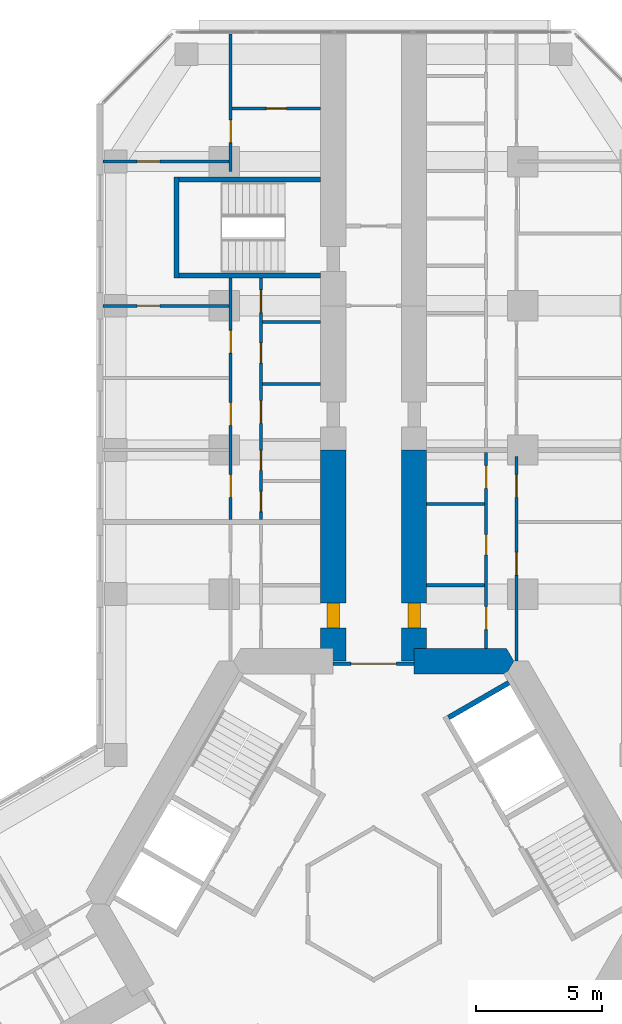
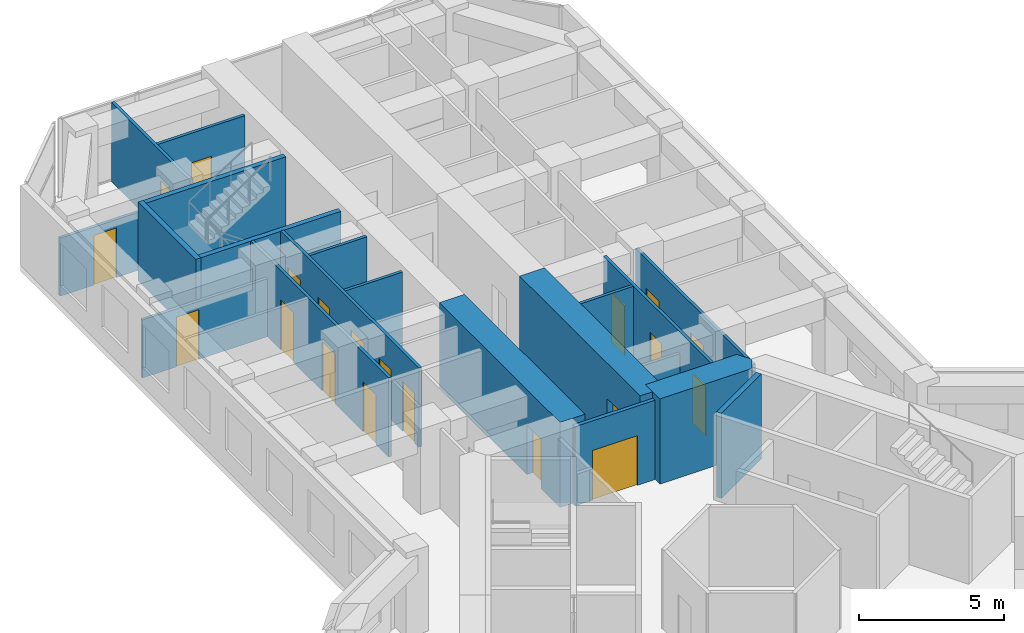
# One storey, part 18 of 22: 20 doors, 20 walls, 20 openings.
"""IFC4 building model written with IfcOpenShell, lengths in metres."""

from ifc_helpers import new_model, si_unit, direction, frame, frame_2d, origin, place, context, subcontext, project, spatial, polyline, rectangle, outline, extrude, material, layer, layer_set, type_object, element, fill, save


model = new_model("IFC4")

# Units and contexts
model_context = context("Model", 3, precision=1e-05, world=origin(), true_north=direction((0.0, 1.0)))
body_context = subcontext(model_context, "Body", "Model", "MODEL_VIEW")
ifc_project = project(units=[si_unit("LENGTHUNIT", "METRE"), si_unit("AREAUNIT", "SQUARE_METRE"), si_unit("VOLUMEUNIT", "CUBIC_METRE"), si_unit("PLANEANGLEUNIT", "RADIAN"), si_unit("MASSUNIT", "GRAM", prefix="KILO")], contexts=[model_context])

# Site, building, storey
site_placement = place(None, origin())
site = spatial("IfcSite", under=ifc_project, at=site_placement, CompositionType="ELEMENT")
building_placement = place(site_placement, origin())
building = spatial("IfcBuilding", under=site, at=building_placement, Name="Kosmar Iwan School Tower", CompositionType="ELEMENT")
storey_placement = place(building_placement, frame((0.0, 0.0, 95.199951171875)))
storey = spatial("IfcBuildingStorey", under=building, at=storey_placement, Name="L23", CompositionType="ELEMENT", Elevation=95.199951171875)

# Wall
ifc_material_1 = material(Name="Concrete C50/60", Category="concrete")
ifc_layer_1 = layer(ifc_material_1, 1.0)
ifc_layer_set_1 = layer_set([ifc_layer_1], Name="Core wall 1000")
wall_type_1 = type_object("IfcWallType", Name="Core wall 1000", PredefinedType="SHEAR", material=ifc_layer_set_1)
wall_1_placement = place(storey_placement, origin())
element("IfcWall", 1, at=wall_1_placement, inside=storey, type_object=wall_type_1, Name="Core wall F090a", PredefinedType="SHEAR", context=body_context, shape_type="SweptSolid", body=[
    extrude(outline(polyline([(1.60009765625, 9.10009765625), (5.25390625, 9.10009765625), (5.54248046875, 9.60009765625), (5.25390625, 10.10009765625), (1.60009765625, 10.10009765625), (1.60009765625, 9.10009765625)])), origin(), (0.0, 0.0, 1.0), 3.60009765625),
])

# Wall, opening, door
ifc_material_2 = material(Name="Concrete C50/60", Category="concrete")
ifc_layer_2 = layer(ifc_material_2, 1.0)
ifc_layer_set_2 = layer_set([ifc_layer_2], Name="Corridor buttress wall 1000")
wall_type_2 = type_object("IfcWallType", Name="Corridor buttress wall 1000", PredefinedType="SHEAR", material=ifc_layer_set_2)
wall_2_placement = place(storey_placement, frame((-1.60009765625, 9.60009765625, 0.0), z_axis=(0.0, 0.0, 1.0), x_axis=(0.0, 1.0, 0.0)))
wall_2 = element("IfcWall", 2, at=wall_2_placement, inside=storey, type_object=wall_type_2, Name="Corridor wall AL", PredefinedType="SHEAR", context=body_context, shape_type="SweptSolid", body=[
    extrude(rectangle(XDim=8.349853515625, YDim=1.0, at=frame_2d((4.1748046875, 0.0))), origin(), (0.0, 0.0, 1.0), 3.60009765625),
])
opening_1_placement = place(wall_2_placement, frame((1.300048828125, 0.0, 0.0)))
opening_1 = element("IfcOpeningElement", 3, at=opening_1_placement, cuts=wall_2, Name="Opening D1", PredefinedType="OPENING", context=body_context, shape_type="SweptSolid", body=[
    extrude(rectangle(XDim=1.0, YDim=2.10009765625, at=frame_2d((0.5, 1.050048828125))), frame((0.0, 0.511962890625, 0.0), z_axis=(0.0, -1.0, 0.0), x_axis=(1.0, 0.0, 0.0)), (0.0, 0.0, 1.0), 1.02392578125),
])
ifc_material_3 = material(Name="Timber fire door in steel frame", Category="steel")
door_type_1 = type_object("IfcDoorType", Name="Flat entrance door 1000x2100", OperationType="SINGLE_SWING_LEFT", PredefinedType="DOOR", material=ifc_material_3)
door_1_placement = place(opening_1_placement, origin())
door_1 = element("IfcDoor", 4, at=door_1_placement, inside=storey, type_object=door_type_1, Name="Flat L23-AL1 entrance door", OperationType="SINGLE_SWING_RIGHT", OverallHeight=2.10009765625, OverallWidth=1.0, PredefinedType="DOOR", context=body_context, shape_type="SweptSolid", body=[
    extrude(rectangle(XDim=1.0, YDim=2.10009765625, at=frame_2d((0.5, 1.050048828125))), frame((0.0, 0.25, 0.0), z_axis=(0.0, -1.0, 0.0), x_axis=(1.0, 0.0, 0.0)), (0.0, 0.0, 1.0), 0.5),
])
fill(opening_1, door_1)

wall_3_placement = place(storey_placement, frame((1.60009765625, 9.60009765625, 0.0), z_axis=(0.0, 0.0, 1.0), x_axis=(0.0, 1.0, 0.0)))
wall_3 = element("IfcWall", 5, at=wall_3_placement, inside=storey, type_object=wall_type_2, Name="Corridor wall AR", PredefinedType="SHEAR", context=body_context, shape_type="SweptSolid", body=[
    extrude(rectangle(XDim=8.349853515625, YDim=1.0, at=frame_2d((4.1748046875, 0.0))), origin(), (0.0, 0.0, 1.0), 3.60009765625),
])
opening_2_placement = place(wall_3_placement, frame((1.300048828125, 0.0, 0.0)))
opening_2 = element("IfcOpeningElement", 6, at=opening_2_placement, cuts=wall_3, Name="Opening D1", PredefinedType="OPENING", context=body_context, shape_type="SweptSolid", body=[
    extrude(rectangle(XDim=1.0, YDim=2.10009765625, at=frame_2d((0.5, 1.050048828125))), frame((0.0, 0.511962890625, 0.0), z_axis=(0.0, -1.0, 0.0), x_axis=(1.0, 0.0, 0.0)), (0.0, 0.0, 1.0), 1.02392578125),
])
door_2_placement = place(opening_2_placement, origin())
door_2 = element("IfcDoor", 7, at=door_2_placement, inside=storey, type_object=door_type_1, Name="Flat L23-AR1 entrance door", OperationType="SINGLE_SWING_LEFT", OverallHeight=2.10009765625, OverallWidth=1.0, PredefinedType="DOOR", context=body_context, shape_type="SweptSolid", body=[
    extrude(rectangle(XDim=1.0, YDim=2.10009765625, at=frame_2d((0.5, 1.050048828125))), frame((0.0, 0.25, 0.0), z_axis=(0.0, -1.0, 0.0), x_axis=(1.0, 0.0, 0.0)), (0.0, 0.0, 1.0), 0.5),
])
fill(opening_2, door_2)

ifc_material_4 = material(Name="Steel framed glazed screen", Category="steel")
ifc_layer_3 = layer(ifc_material_4, 0.14990234375)
ifc_layer_set_3 = layer_set([ifc_layer_3], Name="Corridor screen wall 150")
wall_type_3 = type_object("IfcWallType", Name="Corridor screen wall 150", PredefinedType="PARTITIONING", material=ifc_layer_set_3)
wall_4_placement = place(storey_placement, frame((1.60009765625, 9.5, 0.0), z_axis=(0.0, 0.0, 1.0), x_axis=(-1.0, 0.0, 0.0)))
wall_4 = element("IfcWall", 8, at=wall_4_placement, inside=storey, type_object=wall_type_3, Name="Corridor screen A L23", PredefinedType="PARTITIONING", context=body_context, shape_type="SweptSolid", body=[
    extrude(rectangle(XDim=3.2001953125, YDim=0.14990234375, at=frame_2d((1.60009765625, 0.0))), origin(), (0.0, 0.0, 1.0), 3.35009765625),
])
opening_3_placement = place(wall_4_placement, frame((0.699951171875, 0.0, 0.0)))
opening_3 = element("IfcOpeningElement", 9, at=opening_3_placement, cuts=wall_4, Name="Opening D9", PredefinedType="OPENING", context=body_context, shape_type="SweptSolid", body=[
    extrude(rectangle(XDim=1.800048828125, YDim=2.10009765625, at=frame_2d((0.89990234375, 1.050048828125))), frame((0.0, 0.0869140625, 0.0), z_axis=(0.0, -1.0, 0.0), x_axis=(1.0, 0.0, 0.0)), (0.0, 0.0, 1.0), 0.173828125),
])
ifc_material_5 = material(Name="Steel framed glazed smoke door", Category="steel")
door_type_2 = type_object("IfcDoorType", Name="Corridor smoke door pair 1800x2100", OperationType="DOUBLE_DOOR_DOUBLE_SWING", PredefinedType="DOOR", material=ifc_material_5)
door_3_placement = place(opening_3_placement, origin())
door_3 = element("IfcDoor", 10, at=door_3_placement, inside=storey, type_object=door_type_2, Name="Corridor doors A L23", OperationType="DOUBLE_DOOR_DOUBLE_SWING", OverallHeight=2.10009765625, OverallWidth=1.800048828125, PredefinedType="DOOR", context=body_context, shape_type="SweptSolid", body=[
    extrude(rectangle(XDim=1.800048828125, YDim=2.10009765625, at=frame_2d((0.89990234375, 1.050048828125))), frame((0.0, 0.02490234375, 0.0), z_axis=(0.0, -1.0, 0.0), x_axis=(1.0, 0.0, 0.0)), (0.0, 0.0, 1.0), 0.050048828125),
])
fill(opening_3, door_3)

# Wall, openings, doors
ifc_material_6 = material(Name="Gypsum board on steel studs", Category="steel")
ifc_layer_4 = layer(ifc_material_6, 0.1201171875)
ifc_layer_set_4 = layer_set([ifc_layer_4], Name="Dwelling partition 120")
wall_type_4 = type_object("IfcWallType", Name="Dwelling partition 120", PredefinedType="PARTITIONING", material=ifc_layer_set_4)
wall_5_placement = place(storey_placement, frame((-4.449951171875, 15.199951171875, 0.0), z_axis=(0.0, 0.0, 1.0), x_axis=(0.0, 1.0, 0.0)))
wall_5 = element("IfcWall", 11, at=wall_5_placement, inside=storey, type_object=wall_type_4, Name="Partition L23-AL2-W1", PredefinedType="PARTITIONING", context=body_context, shape_type="SweptSolid", body=[
    extrude(rectangle(XDim=9.550048828125, YDim=0.1201171875, at=frame_2d((4.77490234375, 0.0))), origin(), (0.0, 0.0, 1.0), 3.35009765625),
])
opening_4_placement = place(wall_5_placement, frame((0.3125, 0.0, 0.0)))
opening_4 = element("IfcOpeningElement", 12, at=opening_4_placement, cuts=wall_5, Name="Opening D3", PredefinedType="OPENING", context=body_context, shape_type="SweptSolid", body=[
    extrude(rectangle(XDim=0.800048828125, YDim=2.10009765625, at=frame_2d((0.39990234375, 1.050048828125))), frame((0.0, 0.072021484375, 0.0), z_axis=(0.0, -1.0, 0.0), x_axis=(1.0, 0.0, 0.0)), (0.0, 0.0, 1.0), 0.14404296875),
])
opening_5_placement = place(wall_5_placement, frame((1.9375, 0.0, 0.0)))
opening_5 = element("IfcOpeningElement", 13, at=opening_5_placement, cuts=wall_5, Name="Opening D3", PredefinedType="OPENING", context=body_context, shape_type="SweptSolid", body=[
    extrude(rectangle(XDim=0.800048828125, YDim=2.10009765625, at=frame_2d((0.39990234375, 1.050048828125))), frame((0.0, 0.072021484375, 0.0), z_axis=(0.0, -1.0, 0.0), x_axis=(1.0, 0.0, 0.0)), (0.0, 0.0, 1.0), 0.14404296875),
])
opening_6_placement = place(wall_5_placement, frame((3.800048828125, 0.0, 0.0)))
opening_6 = element("IfcOpeningElement", 14, at=opening_6_placement, cuts=wall_5, Name="Opening D2", PredefinedType="OPENING", context=body_context, shape_type="SweptSolid", body=[
    extrude(rectangle(XDim=0.89990234375, YDim=2.10009765625, at=frame_2d((0.449951171875, 1.050048828125))), frame((0.0, 0.072021484375, 0.0), z_axis=(0.0, -1.0, 0.0), x_axis=(1.0, 0.0, 0.0)), (0.0, 0.0, 1.0), 0.14404296875),
])
opening_7_placement = place(wall_5_placement, frame((6.179931640625, 0.0, 0.0)))
opening_7 = element("IfcOpeningElement", 15, at=opening_7_placement, cuts=wall_5, Name="Opening D3", PredefinedType="OPENING", context=body_context, shape_type="SweptSolid", body=[
    extrude(rectangle(XDim=0.800048828125, YDim=2.10009765625, at=frame_2d((0.39990234375, 1.050048828125))), frame((0.0, 0.072021484375, 0.0), z_axis=(0.0, -1.0, 0.0), x_axis=(1.0, 0.0, 0.0)), (0.0, 0.0, 1.0), 0.14404296875),
])
opening_8_placement = place(wall_5_placement, frame((8.179931640625, 0.0, 0.0)))
opening_8 = element("IfcOpeningElement", 16, at=opening_8_placement, cuts=wall_5, Name="Opening D2", PredefinedType="OPENING", context=body_context, shape_type="SweptSolid", body=[
    extrude(rectangle(XDim=0.89990234375, YDim=2.10009765625, at=frame_2d((0.449951171875, 1.050048828125))), frame((0.0, 0.072021484375, 0.0), z_axis=(0.0, -1.0, 0.0), x_axis=(1.0, 0.0, 0.0)), (0.0, 0.0, 1.0), 0.14404296875),
])
ifc_material_7 = material(Name="Timber door in timber frame", Category="wood")
door_type_3 = type_object("IfcDoorType", Name="Internal door 900x2100", OperationType="SINGLE_SWING_LEFT", PredefinedType="DOOR", material=ifc_material_7)
door_4_placement = place(opening_6_placement, origin())
door_4 = element("IfcDoor", 17, at=door_4_placement, inside=storey, type_object=door_type_3, Name="Entrance hall door L23-AL2-S3", OperationType="SINGLE_SWING_LEFT", OverallHeight=2.10009765625, OverallWidth=0.89990234375, PredefinedType="DOOR", context=body_context, shape_type="SweptSolid", body=[
    extrude(rectangle(XDim=0.89990234375, YDim=2.10009765625, at=frame_2d((0.449951171875, 1.050048828125))), frame((0.0, 0.02490234375, 0.0), z_axis=(0.0, -1.0, 0.0), x_axis=(1.0, 0.0, 0.0)), (0.0, 0.0, 1.0), 0.050048828125),
])
fill(opening_6, door_4)
door_5_placement = place(opening_8_placement, frame((0.89990234375, 0.0, 0.0), z_axis=(0.0, 0.0, 1.0), x_axis=(-1.0, 0.0, 0.0)))
door_5 = element("IfcDoor", 18, at=door_5_placement, inside=storey, type_object=door_type_3, Name="Pantry door L23-AL2-S5", OperationType="SINGLE_SWING_LEFT", OverallHeight=2.10009765625, OverallWidth=0.89990234375, PredefinedType="DOOR", context=body_context, shape_type="SweptSolid", body=[
    extrude(rectangle(XDim=0.89990234375, YDim=2.10009765625, at=frame_2d((0.449951171875, 1.050048828125))), frame((0.0, 0.02490234375, 0.0), z_axis=(0.0, -1.0, 0.0), x_axis=(1.0, 0.0, 0.0)), (0.0, 0.0, 1.0), 0.050048828125),
])
fill(opening_8, door_5)
ifc_material_8 = material(Name="Timber door in timber frame", Category="wood")
door_type_4 = type_object("IfcDoorType", Name="Sanitary room door 800x2100", OperationType="SINGLE_SWING_LEFT", PredefinedType="DOOR", material=ifc_material_8)
door_6_placement = place(opening_4_placement, origin())
door_6 = element("IfcDoor", 19, at=door_6_placement, inside=storey, type_object=door_type_4, Name="WC door L23-AL2-S1", OperationType="SINGLE_SWING_LEFT", OverallHeight=2.10009765625, OverallWidth=0.800048828125, PredefinedType="DOOR", context=body_context, shape_type="SweptSolid", body=[
    extrude(rectangle(XDim=0.800048828125, YDim=2.10009765625, at=frame_2d((0.39990234375, 1.050048828125))), frame((0.0, 0.02490234375, 0.0), z_axis=(0.0, -1.0, 0.0), x_axis=(1.0, 0.0, 0.0)), (0.0, 0.0, 1.0), 0.050048828125),
])
fill(opening_4, door_6)
door_7_placement = place(opening_5_placement, origin())
door_7 = element("IfcDoor", 20, at=door_7_placement, inside=storey, type_object=door_type_4, Name="Shower room door L23-AL2-S2", OperationType="SINGLE_SWING_LEFT", OverallHeight=2.10009765625, OverallWidth=0.800048828125, PredefinedType="DOOR", context=body_context, shape_type="SweptSolid", body=[
    extrude(rectangle(XDim=0.800048828125, YDim=2.10009765625, at=frame_2d((0.39990234375, 1.050048828125))), frame((0.0, 0.02490234375, 0.0), z_axis=(0.0, -1.0, 0.0), x_axis=(1.0, 0.0, 0.0)), (0.0, 0.0, 1.0), 0.050048828125),
])
fill(opening_5, door_7)
door_8_placement = place(opening_7_placement, origin())
door_8 = element("IfcDoor", 21, at=door_8_placement, inside=storey, type_object=door_type_4, Name="Bathroom door L23-AL2-S4", OperationType="SINGLE_SWING_RIGHT", OverallHeight=2.10009765625, OverallWidth=0.800048828125, PredefinedType="DOOR", context=body_context, shape_type="SweptSolid", body=[
    extrude(rectangle(XDim=0.800048828125, YDim=2.10009765625, at=frame_2d((0.39990234375, 1.050048828125))), frame((0.0, 0.02490234375, 0.0), z_axis=(0.0, -1.0, 0.0), x_axis=(1.0, 0.0, 0.0)), (0.0, 0.0, 1.0), 0.050048828125),
])
fill(opening_7, door_8)

wall_6_placement = place(storey_placement, frame((-5.64990234375, 15.199951171875, 0.0), z_axis=(0.0, 0.0, 1.0), x_axis=(0.0, 1.0, 0.0)))
wall_6 = element("IfcWall", 22, at=wall_6_placement, inside=storey, type_object=wall_type_4, Name="Partition L23-AL2-W2", PredefinedType="PARTITIONING", context=body_context, shape_type="SweptSolid", body=[
    extrude(rectangle(XDim=9.550048828125, YDim=0.1201171875, at=frame_2d((4.77490234375, 0.0))), origin(), (0.0, 0.0, 1.0), 3.35009765625),
])
opening_9_placement = place(wall_6_placement, frame((0.875, 0.0, 0.0)))
opening_9 = element("IfcOpeningElement", 23, at=opening_9_placement, cuts=wall_6, Name="Opening D2", PredefinedType="OPENING", context=body_context, shape_type="SweptSolid", body=[
    extrude(rectangle(XDim=0.89990234375, YDim=2.10009765625, at=frame_2d((0.449951171875, 1.050048828125))), frame((0.0, 0.072021484375, 0.0), z_axis=(0.0, -1.0, 0.0), x_axis=(1.0, 0.0, 0.0)), (0.0, 0.0, 1.0), 0.14404296875),
])
opening_10_placement = place(wall_6_placement, frame((3.72509765625, 0.0, 0.0)))
opening_10 = element("IfcOpeningElement", 24, at=opening_10_placement, cuts=wall_6, Name="Opening D2", PredefinedType="OPENING", context=body_context, shape_type="SweptSolid", body=[
    extrude(rectangle(XDim=0.89990234375, YDim=2.10009765625, at=frame_2d((0.449951171875, 1.050048828125))), frame((0.0, 0.072021484375, 0.0), z_axis=(0.0, -1.0, 0.0), x_axis=(1.0, 0.0, 0.0)), (0.0, 0.0, 1.0), 0.14404296875),
])
opening_11_placement = place(wall_6_placement, frame((6.574951171875, 0.0, 0.0)))
opening_11 = element("IfcOpeningElement", 25, at=opening_11_placement, cuts=wall_6, Name="Opening D2", PredefinedType="OPENING", context=body_context, shape_type="SweptSolid", body=[
    extrude(rectangle(XDim=0.89990234375, YDim=2.10009765625, at=frame_2d((0.449951171875, 1.050048828125))), frame((0.0, 0.072021484375, 0.0), z_axis=(0.0, -1.0, 0.0), x_axis=(1.0, 0.0, 0.0)), (0.0, 0.0, 1.0), 0.14404296875),
])
door_9_placement = place(opening_9_placement, origin())
door_9 = element("IfcDoor", 26, at=door_9_placement, inside=storey, type_object=door_type_3, Name="Bedroom 1 door L23-AL2-F1", OperationType="SINGLE_SWING_LEFT", OverallHeight=2.10009765625, OverallWidth=0.89990234375, PredefinedType="DOOR", context=body_context, shape_type="SweptSolid", body=[
    extrude(rectangle(XDim=0.89990234375, YDim=2.10009765625, at=frame_2d((0.449951171875, 1.050048828125))), frame((0.0, 0.02490234375, 0.0), z_axis=(0.0, -1.0, 0.0), x_axis=(1.0, 0.0, 0.0)), (0.0, 0.0, 1.0), 0.050048828125),
])
fill(opening_9, door_9)
door_10_placement = place(opening_10_placement, origin())
door_10 = element("IfcDoor", 27, at=door_10_placement, inside=storey, type_object=door_type_3, Name="Living room and kitchen door L23-AL2-F2", OperationType="SINGLE_SWING_RIGHT", OverallHeight=2.10009765625, OverallWidth=0.89990234375, PredefinedType="DOOR", context=body_context, shape_type="SweptSolid", body=[
    extrude(rectangle(XDim=0.89990234375, YDim=2.10009765625, at=frame_2d((0.449951171875, 1.050048828125))), frame((0.0, 0.02490234375, 0.0), z_axis=(0.0, -1.0, 0.0), x_axis=(1.0, 0.0, 0.0)), (0.0, 0.0, 1.0), 0.050048828125),
])
fill(opening_10, door_10)
door_11_placement = place(opening_11_placement, origin())
door_11 = element("IfcDoor", 28, at=door_11_placement, inside=storey, type_object=door_type_3, Name="Bedroom 2 door L23-AL2-F3", OperationType="SINGLE_SWING_LEFT", OverallHeight=2.10009765625, OverallWidth=0.89990234375, PredefinedType="DOOR", context=body_context, shape_type="SweptSolid", body=[
    extrude(rectangle(XDim=0.89990234375, YDim=2.10009765625, at=frame_2d((0.449951171875, 1.050048828125))), frame((0.0, 0.02490234375, 0.0), z_axis=(0.0, -1.0, 0.0), x_axis=(1.0, 0.0, 0.0)), (0.0, 0.0, 1.0), 0.050048828125),
])
fill(opening_11, door_11)

# Walls
for number, where, z_axis, x_axis, name in (
    (29, (-2.10009765625, 20.550048828125, 0.0), (0.0, 0.0, 1.0), (-1.0, 0.0, 0.0), "Partition L23-AL2-Y3"),
    (30, (-2.10009765625, 23.010009765625, 0.0), (0.0, 0.0, 1.0), (-1.0, 0.0, 0.0), "Partition L23-AL2-Y4"),
):
    element("IfcWall", number, at=place(storey_placement, frame(where, z_axis=z_axis, x_axis=x_axis)), inside=storey, type_object=wall_type_4, Name=name, PredefinedType="PARTITIONING", context=body_context, shape_type="SweptSolid", body=[
        extrude(rectangle(XDim=2.289794921875, YDim=0.1201171875, at=frame_2d((1.14501953125, 0.0))), origin(), (0.0, 0.0, 1.0), 3.35009765625),
    ])

# Wall, opening, door
wall_7_placement = place(storey_placement, frame((-5.7099609375, 23.64990234375, 0.0), z_axis=(0.0, 0.0, 1.0), x_axis=(-1.0, 0.0, 0.0)))
wall_7 = element("IfcWall", 31, at=wall_7_placement, inside=storey, type_object=wall_type_4, Name="Partition L23-AL2-TB", PredefinedType="PARTITIONING", context=body_context, shape_type="SweptSolid", body=[
    extrude(rectangle(XDim=4.989990234375, YDim=0.1201171875, at=frame_2d((2.4951171875, 0.0))), origin(), (0.0, 0.0, 1.0), 2.449951171875),
])
opening_12_placement = place(wall_7_placement, frame((2.739990234375, 0.0, 0.0)))
opening_12 = element("IfcOpeningElement", 32, at=opening_12_placement, cuts=wall_7, Name="Opening D2", PredefinedType="OPENING", context=body_context, shape_type="SweptSolid", body=[
    extrude(rectangle(XDim=0.89990234375, YDim=2.10009765625, at=frame_2d((0.449951171875, 1.050048828125))), frame((0.0, 0.072021484375, 0.0), z_axis=(0.0, -1.0, 0.0), x_axis=(1.0, 0.0, 0.0)), (0.0, 0.0, 1.0), 0.14404296875),
])
door_12_placement = place(opening_12_placement, origin())
door_12 = element("IfcDoor", 33, at=door_12_placement, inside=storey, type_object=door_type_3, Name="Study door L23-AL2-F3", OperationType="SINGLE_SWING_RIGHT", OverallHeight=2.10009765625, OverallWidth=0.89990234375, PredefinedType="DOOR", context=body_context, shape_type="SweptSolid", body=[
    extrude(rectangle(XDim=0.89990234375, YDim=2.10009765625, at=frame_2d((0.449951171875, 1.050048828125))), frame((0.0, 0.02490234375, 0.0), z_axis=(0.0, -1.0, 0.0), x_axis=(1.0, 0.0, 0.0)), (0.0, 0.0, 1.0), 0.050048828125),
])
fill(opening_12, door_12)

wall_8_placement = place(storey_placement, frame((-5.7099609375, 29.35009765625, 0.0), z_axis=(0.0, 0.0, 1.0), x_axis=(-1.0, 0.0, 0.0)))
wall_8 = element("IfcWall", 34, at=wall_8_placement, inside=storey, type_object=wall_type_4, Name="Partition L23-AL2-TX", PredefinedType="PARTITIONING", context=body_context, shape_type="SweptSolid", body=[
    extrude(rectangle(XDim=4.989990234375, YDim=0.1201171875, at=frame_2d((2.4951171875, 0.0))), origin(), (0.0, 0.0, 1.0), 2.449951171875),
])
opening_13_placement = place(wall_8_placement, frame((2.739990234375, 0.0, 0.0)))
opening_13 = element("IfcOpeningElement", 35, at=opening_13_placement, cuts=wall_8, Name="Opening D2", PredefinedType="OPENING", context=body_context, shape_type="SweptSolid", body=[
    extrude(rectangle(XDim=0.89990234375, YDim=2.10009765625, at=frame_2d((0.449951171875, 1.050048828125))), frame((0.0, 0.072021484375, 0.0), z_axis=(0.0, -1.0, 0.0), x_axis=(1.0, 0.0, 0.0)), (0.0, 0.0, 1.0), 0.14404296875),
])
door_13_placement = place(opening_13_placement, origin())
door_13 = element("IfcDoor", 36, at=door_13_placement, inside=storey, type_object=door_type_3, Name="Study door L23-AL2-T1", OperationType="SINGLE_SWING_RIGHT", OverallHeight=2.10009765625, OverallWidth=0.89990234375, PredefinedType="DOOR", context=body_context, shape_type="SweptSolid", body=[
    extrude(rectangle(XDim=0.89990234375, YDim=2.10009765625, at=frame_2d((0.449951171875, 1.050048828125))), frame((0.0, 0.02490234375, 0.0), z_axis=(0.0, -1.0, 0.0), x_axis=(1.0, 0.0, 0.0)), (0.0, 0.0, 1.0), 0.050048828125),
])
fill(opening_13, door_13)

wall_9_placement = place(storey_placement, frame((-5.64990234375, 28.949951171875, 0.0), z_axis=(0.0, 0.0, 1.0), x_axis=(0.0, 1.0, 0.0)))
wall_9 = element("IfcWall", 37, at=wall_9_placement, inside=storey, type_object=wall_type_4, Name="Partition L23-AL2-TW", PredefinedType="PARTITIONING", context=body_context, shape_type="SweptSolid", body=[
    extrude(rectangle(XDim=5.445068359375, YDim=0.1201171875, at=frame_2d((2.72265625, 0.0))), origin(), (0.0, 0.0, 1.0), 3.35009765625),
])
opening_14_placement = place(wall_9_placement, frame((1.14990234375, 0.0, 0.0)))
opening_14 = element("IfcOpeningElement", 38, at=opening_14_placement, cuts=wall_9, Name="Opening D2", PredefinedType="OPENING", context=body_context, shape_type="SweptSolid", body=[
    extrude(rectangle(XDim=0.89990234375, YDim=2.10009765625, at=frame_2d((0.449951171875, 1.050048828125))), frame((0.0, 0.072021484375, 0.0), z_axis=(0.0, -1.0, 0.0), x_axis=(1.0, 0.0, 0.0)), (0.0, 0.0, 1.0), 0.14404296875),
])
door_14_placement = place(opening_14_placement, origin())
door_14 = element("IfcDoor", 39, at=door_14_placement, inside=storey, type_object=door_type_3, Name="Dressing room door L23-AL2-T3", OperationType="SINGLE_SWING_LEFT", OverallHeight=2.10009765625, OverallWidth=0.89990234375, PredefinedType="DOOR", context=body_context, shape_type="SweptSolid", body=[
    extrude(rectangle(XDim=0.89990234375, YDim=2.10009765625, at=frame_2d((0.449951171875, 1.050048828125))), frame((0.0, 0.02490234375, 0.0), z_axis=(0.0, -1.0, 0.0), x_axis=(1.0, 0.0, 0.0)), (0.0, 0.0, 1.0), 0.050048828125),
])
fill(opening_14, door_14)

wall_10_placement = place(storey_placement, frame((-2.10009765625, 31.449951171875, 0.0), z_axis=(0.0, 0.0, 1.0), x_axis=(-1.0, 0.0, 0.0)))
wall_10 = element("IfcWall", 40, at=wall_10_placement, inside=storey, type_object=wall_type_4, Name="Partition L23-AL2-TY", PredefinedType="PARTITIONING", context=body_context, shape_type="SweptSolid", body=[
    extrude(rectangle(XDim=3.489990234375, YDim=0.1201171875, at=frame_2d((1.7451171875, 0.0))), origin(), (0.0, 0.0, 1.0), 3.35009765625),
])
opening_15_placement = place(wall_10_placement, frame((1.344970703125, 0.0, 0.0)))
opening_15 = element("IfcOpeningElement", 41, at=opening_15_placement, cuts=wall_10, Name="Opening D3", PredefinedType="OPENING", context=body_context, shape_type="SweptSolid", body=[
    extrude(rectangle(XDim=0.800048828125, YDim=2.10009765625, at=frame_2d((0.39990234375, 1.050048828125))), frame((0.0, 0.072021484375, 0.0), z_axis=(0.0, -1.0, 0.0), x_axis=(1.0, 0.0, 0.0)), (0.0, 0.0, 1.0), 0.14404296875),
])
door_15_placement = place(opening_15_placement, origin())
door_15 = element("IfcDoor", 42, at=door_15_placement, inside=storey, type_object=door_type_4, Name="Shower room door L23-AL2-T4", OperationType="SINGLE_SWING_RIGHT", OverallHeight=2.10009765625, OverallWidth=0.800048828125, PredefinedType="DOOR", context=body_context, shape_type="SweptSolid", body=[
    extrude(rectangle(XDim=0.800048828125, YDim=2.10009765625, at=frame_2d((0.39990234375, 1.050048828125))), frame((0.0, 0.02490234375, 0.0), z_axis=(0.0, -1.0, 0.0), x_axis=(1.0, 0.0, 0.0)), (0.0, 0.0, 1.0), 0.050048828125),
])
fill(opening_15, door_15)

# Wall, openings, doors
wall_11_placement = place(storey_placement, frame((4.449951171875, 10.10009765625, 0.0), z_axis=(0.0, 0.0, 1.0), x_axis=(0.0, 1.0, 0.0)))
wall_11 = element("IfcWall", 43, at=wall_11_placement, inside=storey, type_object=wall_type_4, Name="Partition L23-AR1-W1", PredefinedType="PARTITIONING", context=body_context, shape_type="SweptSolid", body=[
    extrude(rectangle(XDim=7.75, YDim=0.1201171875, at=frame_2d((3.875, 0.0))), origin(), (0.0, 0.0, 1.0), 3.35009765625),
])
opening_16_placement = place(wall_11_placement, frame((0.75, 0.0, 0.0)))
opening_16 = element("IfcOpeningElement", 44, at=opening_16_placement, cuts=wall_11, Name="Opening D2", PredefinedType="OPENING", context=body_context, shape_type="SweptSolid", body=[
    extrude(rectangle(XDim=0.89990234375, YDim=2.10009765625, at=frame_2d((0.449951171875, 1.050048828125))), frame((0.0, 0.072021484375, 0.0), z_axis=(0.0, -1.0, 0.0), x_axis=(1.0, 0.0, 0.0)), (0.0, 0.0, 1.0), 0.14404296875),
])
opening_17_placement = place(wall_11_placement, frame((3.705078125, 0.0, 0.0)))
opening_17 = element("IfcOpeningElement", 45, at=opening_17_placement, cuts=wall_11, Name="Opening D3", PredefinedType="OPENING", context=body_context, shape_type="SweptSolid", body=[
    extrude(rectangle(XDim=0.800048828125, YDim=2.10009765625, at=frame_2d((0.39990234375, 1.050048828125))), frame((0.0, 0.072021484375, 0.0), z_axis=(0.0, -1.0, 0.0), x_axis=(1.0, 0.0, 0.0)), (0.0, 0.0, 1.0), 0.14404296875),
])
opening_18_placement = place(wall_11_placement, frame((6.330078125, 0.0, 0.0)))
opening_18 = element("IfcOpeningElement", 46, at=opening_18_placement, cuts=wall_11, Name="Opening D2", PredefinedType="OPENING", context=body_context, shape_type="SweptSolid", body=[
    extrude(rectangle(XDim=0.89990234375, YDim=2.10009765625, at=frame_2d((0.449951171875, 1.050048828125))), frame((0.0, 0.072021484375, 0.0), z_axis=(0.0, -1.0, 0.0), x_axis=(1.0, 0.0, 0.0)), (0.0, 0.0, 1.0), 0.14404296875),
])
door_16_placement = place(opening_16_placement, origin())
door_16 = element("IfcDoor", 47, at=door_16_placement, inside=storey, type_object=door_type_3, Name="Entrance hall door L23-AR1-S1", OperationType="SINGLE_SWING_LEFT", OverallHeight=2.10009765625, OverallWidth=0.89990234375, PredefinedType="DOOR", context=body_context, shape_type="SweptSolid", body=[
    extrude(rectangle(XDim=0.89990234375, YDim=2.10009765625, at=frame_2d((0.449951171875, 1.050048828125))), frame((0.0, 0.02490234375, 0.0), z_axis=(0.0, -1.0, 0.0), x_axis=(1.0, 0.0, 0.0)), (0.0, 0.0, 1.0), 0.050048828125),
])
fill(opening_16, door_16)
door_17_placement = place(opening_18_placement, origin())
door_17 = element("IfcDoor", 48, at=door_17_placement, inside=storey, type_object=door_type_3, Name="Pantry door L23-AR1-S3", OperationType="SINGLE_SWING_RIGHT", OverallHeight=2.10009765625, OverallWidth=0.89990234375, PredefinedType="DOOR", context=body_context, shape_type="SweptSolid", body=[
    extrude(rectangle(XDim=0.89990234375, YDim=2.10009765625, at=frame_2d((0.449951171875, 1.050048828125))), frame((0.0, 0.02490234375, 0.0), z_axis=(0.0, -1.0, 0.0), x_axis=(1.0, 0.0, 0.0)), (0.0, 0.0, 1.0), 0.050048828125),
])
fill(opening_18, door_17)
door_18_placement = place(opening_17_placement, origin())
door_18 = element("IfcDoor", 49, at=door_18_placement, inside=storey, type_object=door_type_4, Name="Bathroom door L23-AR1-S2", OperationType="SINGLE_SWING_RIGHT", OverallHeight=2.10009765625, OverallWidth=0.800048828125, PredefinedType="DOOR", context=body_context, shape_type="SweptSolid", body=[
    extrude(rectangle(XDim=0.800048828125, YDim=2.10009765625, at=frame_2d((0.39990234375, 1.050048828125))), frame((0.0, 0.02490234375, 0.0), z_axis=(0.0, -1.0, 0.0), x_axis=(1.0, 0.0, 0.0)), (0.0, 0.0, 1.0), 0.050048828125),
])
fill(opening_17, door_18)

wall_12_placement = place(storey_placement, frame((5.64990234375, 9.60009765625, 0.0), z_axis=(0.0, 0.0, 1.0), x_axis=(0.0, 1.0, 0.0)))
wall_12 = element("IfcWall", 50, at=wall_12_placement, inside=storey, type_object=wall_type_4, Name="Partition L23-AR1-W2", PredefinedType="PARTITIONING", context=body_context, shape_type="SweptSolid", body=[
    extrude(rectangle(XDim=8.099853515625, YDim=0.1201171875, at=frame_2d((4.0498046875, 0.0))), origin(), (0.0, 0.0, 1.0), 3.35009765625),
])
opening_19_placement = place(wall_12_placement, frame((3.39990234375, 0.0, 0.0)))
opening_19 = element("IfcOpeningElement", 51, at=opening_19_placement, cuts=wall_12, Name="Opening D2", PredefinedType="OPENING", context=body_context, shape_type="SweptSolid", body=[
    extrude(rectangle(XDim=0.89990234375, YDim=2.10009765625, at=frame_2d((0.449951171875, 1.050048828125))), frame((0.0, 0.072021484375, 0.0), z_axis=(0.0, -1.0, 0.0), x_axis=(1.0, 0.0, 0.0)), (0.0, 0.0, 1.0), 0.14404296875),
])
opening_20_placement = place(wall_12_placement, frame((6.47509765625, 0.0, 0.0)))
opening_20 = element("IfcOpeningElement", 52, at=opening_20_placement, cuts=wall_12, Name="Opening D2", PredefinedType="OPENING", context=body_context, shape_type="SweptSolid", body=[
    extrude(rectangle(XDim=0.89990234375, YDim=2.10009765625, at=frame_2d((0.449951171875, 1.050048828125))), frame((0.0, 0.072021484375, 0.0), z_axis=(0.0, -1.0, 0.0), x_axis=(1.0, 0.0, 0.0)), (0.0, 0.0, 1.0), 0.14404296875),
])
door_19_placement = place(opening_19_placement, origin())
door_19 = element("IfcDoor", 53, at=door_19_placement, inside=storey, type_object=door_type_3, Name="Living room and kitchen door L23-AR1-F1", OperationType="SINGLE_SWING_LEFT", OverallHeight=2.10009765625, OverallWidth=0.89990234375, PredefinedType="DOOR", context=body_context, shape_type="SweptSolid", body=[
    extrude(rectangle(XDim=0.89990234375, YDim=2.10009765625, at=frame_2d((0.449951171875, 1.050048828125))), frame((0.0, 0.02490234375, 0.0), z_axis=(0.0, -1.0, 0.0), x_axis=(1.0, 0.0, 0.0)), (0.0, 0.0, 1.0), 0.050048828125),
])
fill(opening_19, door_19)
door_20_placement = place(opening_20_placement, origin())
door_20 = element("IfcDoor", 54, at=door_20_placement, inside=storey, type_object=door_type_3, Name="Bedroom 1 door L23-AR1-F2", OperationType="SINGLE_SWING_RIGHT", OverallHeight=2.10009765625, OverallWidth=0.89990234375, PredefinedType="DOOR", context=body_context, shape_type="SweptSolid", body=[
    extrude(rectangle(XDim=0.89990234375, YDim=2.10009765625, at=frame_2d((0.449951171875, 1.050048828125))), frame((0.0, 0.02490234375, 0.0), z_axis=(0.0, -1.0, 0.0), x_axis=(1.0, 0.0, 0.0)), (0.0, 0.0, 1.0), 0.050048828125),
])
fill(opening_20, door_20)

# Walls
wall_13_placement = place(storey_placement, frame((2.10009765625, 12.60009765625, 0.0), z_axis=(0.0, 0.0, 1.0), x_axis=(1.0, 0.0, 0.0)))
element("IfcWall", 55, at=wall_13_placement, inside=storey, type_object=wall_type_4, Name="Partition L23-AR1-Y1", PredefinedType="PARTITIONING", context=body_context, shape_type="SweptSolid", body=[
    extrude(rectangle(XDim=2.289794921875, YDim=0.1201171875, at=frame_2d((1.14501953125, 0.0))), origin(), (0.0, 0.0, 1.0), 2.449951171875),
])
wall_14_placement = place(storey_placement, frame((2.10009765625, 15.81005859375, 0.0), z_axis=(0.0, 0.0, 1.0), x_axis=(1.0, 0.0, 0.0)))
element("IfcWall", 56, at=wall_14_placement, inside=storey, type_object=wall_type_4, Name="Partition L23-AR1-Y2", PredefinedType="PARTITIONING", context=body_context, shape_type="SweptSolid", body=[
    extrude(rectangle(XDim=2.289794921875, YDim=0.1201171875, at=frame_2d((1.14501953125, 0.0))), origin(), (0.0, 0.0, 1.0), 3.35009765625),
])
ifc_material_9 = material(Name="Concrete C35/45", Category="concrete")
ifc_layer_5 = layer(ifc_material_9, 0.199951171875)
ifc_layer_set_5 = layer_set([ifc_layer_5], Name="Escape stair wall 200")
wall_type_5 = type_object("IfcWallType", Name="Escape stair wall 200", PredefinedType="SHEAR", material=ifc_layer_set_5)
for number, where, z_axis, x_axis, name in (
    (57, (-2.10009765625, 24.85009765625, 0.0), (0.0, 0.0, 1.0), (-1.0, 0.0, 0.0), "Stair WS1 wall"),
    (58, (-2.10009765625, 28.64990234375, 0.0), (0.0, 0.0, 1.0), (-1.0, 0.0, 0.0), "Stair WS1 wall"),
):
    element("IfcWall", number, at=place(storey_placement, frame(where, z_axis=z_axis, x_axis=x_axis)), inside=storey, type_object=wall_type_5, Name=name, PredefinedType="SHEAR", context=body_context, shape_type="SweptSolid", body=[
        extrude(rectangle(XDim=5.7998046875, YDim=0.199951171875, at=frame_2d((2.89990234375, 0.0))), origin(), (0.0, 0.0, 1.0), 3.330078125),
    ])
wall_15_placement = place(storey_placement, frame((-7.800048828125, 24.75, 0.0), z_axis=(0.0, 0.0, 1.0), x_axis=(0.0, 1.0, 0.0)))
element("IfcWall", 59, at=wall_15_placement, inside=storey, type_object=wall_type_5, Name="Stair WS1 wall", PredefinedType="SHEAR", context=body_context, shape_type="SweptSolid", body=[
    extrude(rectangle(XDim=4.0, YDim=0.199951171875, at=frame_2d((2.0, 0.0))), origin(), (0.0, 0.0, 1.0), 3.330078125),
])
ifc_material_10 = material(Name="Concrete C50/60", Category="concrete")
ifc_layer_6 = layer(ifc_material_10, 0.199951171875)
ifc_layer_set_6 = layer_set([ifc_layer_6], Name="Lift shaft wall 200")
wall_type_6 = type_object("IfcWallType", Name="Lift shaft wall 200", PredefinedType="SHEAR", material=ifc_layer_set_6)
wall_16_placement = place(storey_placement, frame((2.962646484375, 7.368408203125, 0.0), z_axis=(0.0, 0.0, 1.0), x_axis=(0.866027397988, 0.499996545922, 0.0)))
element("IfcWall", 60, at=wall_16_placement, inside=storey, type_object=wall_type_6, Name="Lift shaft wall AC 2", PredefinedType="SHEAR", context=body_context, shape_type="SweptSolid", body=[
    extrude(rectangle(XDim=2.75, YDim=0.199951171875, at=frame_2d((1.375, 0.0))), origin(), (0.0, 0.0, 1.0), 3.60009765625),
])

save(model, "model.ifc")
